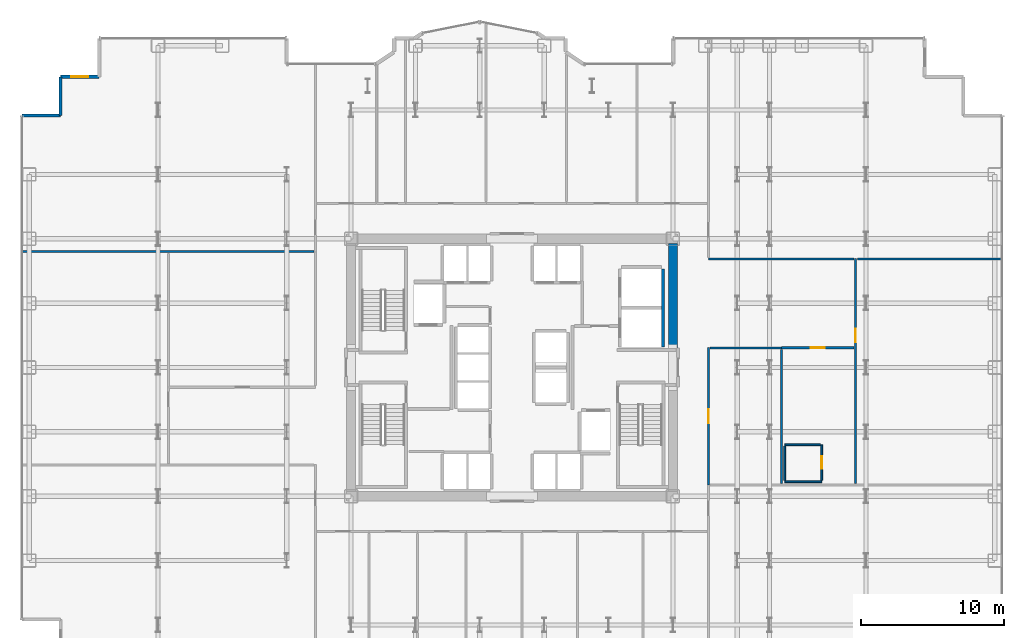
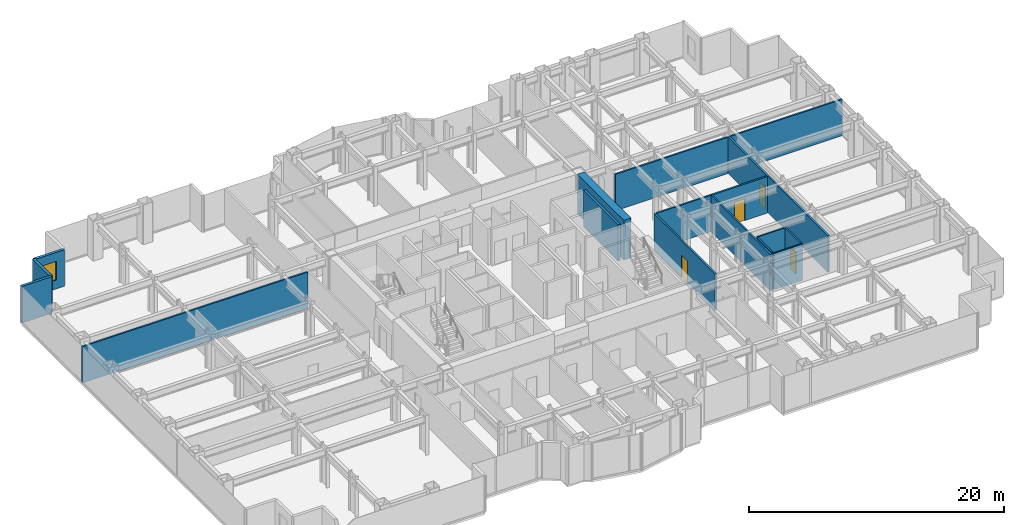
# One storey, part 23 of 26: 17 walls, 4 doors, 1 window, 5 openings.
"""IFC4 building model written with IfcOpenShell, lengths in metres."""

from ifc_helpers import new_model, si_unit, direction, frame, frame_2d, origin, place, context, subcontext, project, spatial, rectangle, extrude, source, transform, mapped, material, layer, layer_set, type_object, element, fill, save


model = new_model("IFC4")

# Units and contexts
model_context = context("Model", 3, precision=1e-05, world=origin(), true_north=direction((0.0, 1.0)))
body_context = subcontext(model_context, "Body", "Model", "MODEL_VIEW")
ifc_project = project(units=[si_unit("LENGTHUNIT", "METRE"), si_unit("AREAUNIT", "SQUARE_METRE"), si_unit("VOLUMEUNIT", "CUBIC_METRE"), si_unit("PLANEANGLEUNIT", "RADIAN"), si_unit("MASSUNIT", "GRAM", prefix="KILO")], contexts=[model_context])

# Site, building, storey
site_placement = place(None, origin())
site = spatial("IfcSite", under=ifc_project, at=site_placement, CompositionType="ELEMENT")
building_placement = place(site_placement, origin())
building = spatial("IfcBuilding", under=site, at=building_placement, Name="Nefas-Gora Pilgrimage Tower", CompositionType="ELEMENT")
storey_placement = place(building_placement, frame((0.0, 0.0, 82.39990234375)))
storey = spatial("IfcBuildingStorey", under=building, at=storey_placement, Name="L19", CompositionType="ELEMENT", Elevation=82.39990234375)

# Wall
ifc_material_1 = material(Name="Concrete C60/75", Category="concrete")
ifc_layer_1 = layer(ifc_material_1, 0.64990234375)
ifc_layer_set_1 = layer_set([ifc_layer_1], Name="Concrete C60/75")
wall_type_1 = type_object("IfcWallType", Name="SW-CORE-650", PredefinedType="SHEAR", material=ifc_layer_set_1)
shared_shape_1 = source(origin(), body_context, "Body", "SweptSolid", [
    extrude(rectangle(XDim=7.324951171875, YDim=0.64990234375, at=frame_2d((3.66259765625, 0.0))), origin(), (0.0, 0.0, 1.0), 3.800048828125),
])
wall_1_placement = place(storey_placement, frame((11.25, 1.35009765625, 0.0), z_axis=(0.0, 0.0, 1.0), x_axis=(0.0, 1.0, 0.0)))
element("IfcWall", 1, at=wall_1_placement, inside=storey, type_object=wall_type_1, Name="L19 Core Shear Wall E-North", PredefinedType="SHEAR", context=body_context, shape_type="MappedRepresentation", body=[
    mapped(shared_shape_1, transform((0.0, 0.0, 0.0), x_axis=(1.0, 0.0, 0.0), y_axis=(0.0, 1.0, 0.0), z_axis=(0.0, 0.0, 1.0), scale=1.0)),
])

# Wall, opening, window
ifc_material_2 = material(Name="Precast concrete C45/55", Category="concrete")
ifc_layer_2 = layer(ifc_material_2, 0.239990234375)
ifc_layer_set_2 = layer_set([ifc_layer_2], Name="Precast concrete C45/55")
wall_type_2 = type_object("IfcWallType", Name="EW-SERR-240", PredefinedType="SHEAR", material=ifc_layer_set_2)
shared_shape_2 = source(origin(), body_context, "Body", "SweptSolid", [
    extrude(rectangle(XDim=2.699951171875, YDim=0.239990234375, at=frame_2d((1.35009765625, 0.0))), origin(), (0.0, 0.0, 1.0), 3.5),
])
wall_2_placement = place(storey_placement, frame((-28.8701171875, 20.320068359375, 0.0), z_axis=(0.0, 0.0, 1.0), x_axis=(-1.0, 0.0, 0.0)))
wall_2 = element("IfcWall", 2, at=wall_2_placement, inside=storey, type_object=wall_type_2, Name="L19 Serrated Corner Shear Pier Wall 21", PredefinedType="SHEAR", context=body_context, shape_type="MappedRepresentation", body=[
    mapped(shared_shape_2, transform((0.0, 0.0, 0.0), x_axis=(1.0, 0.0, 0.0), y_axis=(0.0, 1.0, 0.0), z_axis=(0.0, 0.0, 1.0), scale=1.0)),
])
opening_1_placement = place(wall_2_placement, frame((0.75, 0.0, 0.85009765625)))
opening_1 = element("IfcOpeningElement", 3, at=opening_1_placement, cuts=wall_2, Name="Opening W-V1", PredefinedType="OPENING", context=body_context, shape_type="SweptSolid", body=[
    extrude(rectangle(XDim=1.199951171875, YDim=1.800048828125, at=frame_2d((0.60009765625, 0.89990234375))), frame((0.0, 0.1298828125, 0.0), z_axis=(0.0, -1.0, 0.0), x_axis=(1.0, 0.0, 0.0)), (0.0, 0.0, 1.0), 0.260009765625),
])
ifc_material_3 = material(Name="Dark ceramic-fritted operable aluminium-glass window", Category="aluminium")
window_type = type_object("IfcWindowType", Name="WIN-VENT-1200x1800", PartitioningType="SINGLE_PANEL", PredefinedType="WINDOW", material=ifc_material_3)
shared_shape_3 = source(origin(), body_context, "Body", "SweptSolid", [
    extrude(rectangle(XDim=1.199951171875, YDim=1.800048828125, at=frame_2d((0.60009765625, 0.89990234375))), frame((0.0, 0.030029296875, 0.0), z_axis=(0.0, -1.0, 0.0), x_axis=(1.0, 0.0, 0.0)), (0.0, 0.0, 1.0), 0.06005859375),
])
window_placement = place(opening_1_placement, origin())
window = element("IfcWindow", 4, at=window_placement, inside=storey, type_object=window_type, Name="L19 Operable Parallel-Outswing Window 21", OverallHeight=1.800048828125, OverallWidth=1.199951171875, PartitioningType="SINGLE_PANEL", PredefinedType="WINDOW", context=body_context, shape_type="MappedRepresentation", body=[
    mapped(shared_shape_3, transform((0.0, 0.0, 0.0), x_axis=(1.0, 0.0, 0.0), y_axis=(0.0, 1.0, 0.0), z_axis=(0.0, 0.0, 1.0), scale=1.0)),
])
fill(opening_1, window)

# Walls
for number, where, z_axis, x_axis, name in (
    (5, (-31.570068359375, 20.320068359375, 0.0), (0.0, 0.0, 1.0), (0.0, -1.0, 0.0), "L19 Serrated Corner Shear Pier Wall 22"),
    (6, (-31.570068359375, 17.6201171875, 0.0), (0.0, 0.0, 1.0), (-1.0, 0.0, 0.0), "L19 Serrated Corner Shear Pier Wall 23"),
):
    element("IfcWall", number, at=place(storey_placement, frame(where, z_axis=z_axis, x_axis=x_axis)), inside=storey, type_object=wall_type_2, Name=name, PredefinedType="SHEAR", context=body_context, shape_type="MappedRepresentation", body=[
        mapped(shared_shape_2, transform((0.0, 0.0, 0.0), x_axis=(1.0, 0.0, 0.0), y_axis=(0.0, 1.0, 0.0), z_axis=(0.0, 0.0, 1.0), scale=1.0)),
    ])
ifc_material_4 = material(Name="Concrete C40/50", Category="concrete")
ifc_layer_3 = layer(ifc_material_4, 0.219970703125)
ifc_layer_set_3 = layer_set([ifc_layer_3], Name="Concrete C40/50")
wall_type_3 = type_object("IfcWallType", Name="IW-SHAFT-220", PredefinedType="SOLIDWALL", material=ifc_layer_set_3)
shared_shape_4 = source(origin(), body_context, "Body", "SweptSolid", [
    extrude(rectangle(XDim=5.449951171875, YDim=0.219970703125, at=frame_2d((2.72509765625, 0.0))), origin(), (0.0, 0.0, 1.0), 3.485107421875),
])
wall_3_placement = place(storey_placement, frame((10.56005859375, 1.449951171875, 0.0), z_axis=(0.0, 0.0, 1.0), x_axis=(0.0, 1.0, 0.0)))
element("IfcWall", 7, at=wall_3_placement, inside=storey, type_object=wall_type_3, Name="L19 Hoistway Wall SL-01-02-E", PredefinedType="SOLIDWALL", context=body_context, shape_type="MappedRepresentation", body=[
    mapped(shared_shape_4, transform((0.0, 0.0, 0.0), x_axis=(1.0, 0.0, 0.0), y_axis=(0.0, 1.0, 0.0), z_axis=(0.0, 0.0, 1.0), scale=1.0)),
])
ifc_material_5 = material(Name="Moisture-resistant fire-rated gypsum partition")
ifc_layer_4 = layer(ifc_material_5, 0.1201171875)
ifc_layer_set_4 = layer_set([ifc_layer_4], Name="Moisture-resistant fire-rated gypsum partition")
wall_type_4 = type_object("IfcWallType", Name="IW-WET-120", PredefinedType="PLUMBINGWALL", material=ifc_layer_set_4)
shared_shape_5 = source(origin(), body_context, "Body", "SweptSolid", [
    extrude(rectangle(XDim=2.580078125, YDim=0.1201171875, at=frame_2d((1.2900390625, 0.0))), origin(), (0.0, 0.0, 1.0), 3.485107421875),
])
wall_4_placement = place(storey_placement, frame((19.074951171875, -7.985107421875, 0.0), z_axis=(0.0, 0.0, 1.0), x_axis=(1.0, 0.0, 0.0)))
element("IfcWall", 8, at=wall_4_placement, inside=storey, type_object=wall_type_4, Name="L19 En-Suite Bathroom Wall 16", PredefinedType="PLUMBINGWALL", context=body_context, shape_type="MappedRepresentation", body=[
    mapped(shared_shape_5, transform((0.0, 0.0, 0.0), x_axis=(1.0, 0.0, 0.0), y_axis=(0.0, 1.0, 0.0), z_axis=(0.0, 0.0, 1.0), scale=1.0)),
])

# Wall, opening, door
shared_shape_6 = source(origin(), body_context, "Body", "SweptSolid", [
    extrude(rectangle(XDim=2.47998046875, YDim=0.1201171875, at=frame_2d((1.239990234375, 0.0))), origin(), (0.0, 0.0, 1.0), 3.485107421875),
])
wall_5_placement = place(storey_placement, frame((21.655029296875, -7.885009765625, 0.0), z_axis=(0.0, 0.0, 1.0), x_axis=(0.0, 1.0, 0.0)))
wall_5 = element("IfcWall", 9, at=wall_5_placement, inside=storey, type_object=wall_type_4, Name="L19 En-Suite Bathroom Wall 17", PredefinedType="PLUMBINGWALL", context=body_context, shape_type="MappedRepresentation", body=[
    mapped(shared_shape_6, transform((0.0, 0.0, 0.0), x_axis=(1.0, 0.0, 0.0), y_axis=(0.0, 1.0, 0.0), z_axis=(0.0, 0.0, 1.0), scale=1.0)),
])
opening_2_placement = place(wall_5_placement, frame((0.81494140625, 0.0, 0.0)))
opening_2 = element("IfcOpeningElement", 10, at=opening_2_placement, cuts=wall_5, Name="Opening ID-BT1", PredefinedType="OPENING", context=body_context, shape_type="SweptSolid", body=[
    extrude(rectangle(XDim=0.85009765625, YDim=2.10009765625, at=frame_2d((0.425048828125, 1.050048828125))), frame((0.0, 0.070068359375, 0.0), z_axis=(0.0, -1.0, 0.0), x_axis=(1.0, 0.0, 0.0)), (0.0, 0.0, 1.0), 0.14013671875),
])
ifc_material_6 = material(Name="Moisture-resistant fire-rated timber door", Category="wood")
door_type_1 = type_object("IfcDoorType", Name="DR-INT-BATH-850", OperationType="NOTDEFINED", PredefinedType="DOOR", material=ifc_material_6)
shared_shape_7 = source(origin(), body_context, "Body", "SweptSolid", [
    extrude(rectangle(XDim=0.85009765625, YDim=2.10009765625, at=frame_2d((0.425048828125, 1.050048828125))), frame((0.0, 0.02490234375, 0.0), z_axis=(0.0, -1.0, 0.0), x_axis=(1.0, 0.0, 0.0)), (0.0, 0.0, 1.0), 0.050048828125),
])
door_1_placement = place(opening_2_placement, origin())
door_1 = element("IfcDoor", 11, at=door_1_placement, inside=storey, type_object=door_type_1, Name="L19 En-Suite Bathroom Door 6", OperationType="SINGLE_SWING_LEFT", OverallHeight=2.10009765625, OverallWidth=0.85009765625, PredefinedType="DOOR", context=body_context, shape_type="MappedRepresentation", body=[
    mapped(shared_shape_7, transform((0.0, 0.0, 0.0), x_axis=(1.0, 0.0, 0.0), y_axis=(0.0, 1.0, 0.0), z_axis=(0.0, 0.0, 1.0), scale=1.0)),
])
fill(opening_2, door_1)

# Walls
wall_6_placement = place(storey_placement, frame((19.074951171875, -5.405029296875, 0.0), z_axis=(0.0, 0.0, 1.0), x_axis=(1.0, 0.0, 0.0)))
element("IfcWall", 12, at=wall_6_placement, inside=storey, type_object=wall_type_4, Name="L19 En-Suite Bathroom Wall 18", PredefinedType="PLUMBINGWALL", context=body_context, shape_type="MappedRepresentation", body=[
    mapped(shared_shape_6, transform((0.0, 0.0, 0.0), x_axis=(1.0, 0.0, 0.0), y_axis=(0.0, 1.0, 0.0), z_axis=(0.0, 0.0, 1.0), scale=1.0)),
])
shared_shape_8 = source(origin(), body_context, "Body", "SweptSolid", [
    extrude(rectangle(XDim=2.380126953125, YDim=0.1201171875, at=frame_2d((1.18994140625, 0.0))), origin(), (0.0, 0.0, 1.0), 3.485107421875),
])
wall_7_placement = place(storey_placement, frame((19.074951171875, -7.885009765625, 0.0), z_axis=(0.0, 0.0, 1.0), x_axis=(0.0, 1.0, 0.0)))
element("IfcWall", 13, at=wall_7_placement, inside=storey, type_object=wall_type_4, Name="L19 En-Suite Bathroom Wall 19", PredefinedType="PLUMBINGWALL", context=body_context, shape_type="MappedRepresentation", body=[
    mapped(shared_shape_8, transform((0.0, 0.0, 0.0), x_axis=(1.0, 0.0, 0.0), y_axis=(0.0, 1.0, 0.0), z_axis=(0.0, 0.0, 1.0), scale=1.0)),
])
ifc_material_7 = material(Name="Gypsum twin-stud partition")
ifc_layer_5 = layer(ifc_material_7, 0.139892578125)
ifc_layer_set_5 = layer_set([ifc_layer_5], Name="Gypsum twin-stud partition")
wall_type_5 = type_object("IfcWallType", Name="IW-UNIT-140", PredefinedType="PARTITIONING", material=ifc_layer_set_5)
shared_shape_9 = source(origin(), body_context, "Body", "SweptSolid", [
    extrude(rectangle(XDim=20.429931640625, YDim=0.139892578125, at=frame_2d((10.21484375, 0.0))), origin(), (0.0, 0.0, 1.0), 3.485107421875),
])
wall_8_placement = place(storey_placement, frame((-34.2900390625, 8.097412109375, 0.0), z_axis=(0.0, 0.0, 1.0), x_axis=(1.0, 0.0, 0.0)))
element("IfcWall", 14, at=wall_8_placement, inside=storey, type_object=wall_type_5, Name="L19 Pilgrim Devotional Prayer Gallery Partition Wall 30", PredefinedType="PARTITIONING", context=body_context, shape_type="MappedRepresentation", body=[
    mapped(shared_shape_9, transform((0.0, 0.0, 0.0), x_axis=(1.0, 0.0, 0.0), y_axis=(0.0, 1.0, 0.0), z_axis=(0.0, 0.0, 1.0), scale=1.0)),
])

# Wall, opening, door
ifc_material_8 = material(Name="Gypsum acoustic stud partition")
ifc_layer_6 = layer(ifc_material_8, 0.159912109375)
ifc_layer_set_6 = layer_set([ifc_layer_6], Name="Gypsum acoustic stud partition")
wall_type_6 = type_object("IfcWallType", Name="IW-CORR-160", PredefinedType="PARTITIONING", material=ifc_layer_set_6)
shared_shape_10 = source(origin(), body_context, "Body", "SweptSolid", [
    extrude(rectangle(XDim=15.699951171875, YDim=0.159912109375, at=frame_2d((7.85009765625, 0.0))), origin(), (0.0, 0.0, 1.0), 3.485107421875),
])
wall_9_placement = place(storey_placement, frame((24.02001953125, -8.094970703125, 0.0), z_axis=(0.0, 0.0, 1.0), x_axis=(0.0, 1.0, 0.0)))
wall_9 = element("IfcWall", 15, at=wall_9_placement, inside=storey, type_object=wall_type_6, Name="L19 Pilgrim Contemplative Lounge Partition Wall 36", PredefinedType="PARTITIONING", context=body_context, shape_type="MappedRepresentation", body=[
    mapped(shared_shape_10, transform((0.0, 0.0, 0.0), x_axis=(1.0, 0.0, 0.0), y_axis=(0.0, 1.0, 0.0), z_axis=(0.0, 0.0, 1.0), scale=1.0)),
])
opening_3_placement = place(wall_9_placement, frame((9.8701171875, 0.0, 0.0)))
opening_3 = element("IfcOpeningElement", 16, at=opening_3_placement, cuts=wall_9, Name="Opening ID-GR1", PredefinedType="OPENING", context=body_context, shape_type="SweptSolid", body=[
    extrude(rectangle(XDim=0.949951171875, YDim=2.10009765625, at=frame_2d((0.47509765625, 1.050048828125))), frame((0.0, 0.08984375, 0.0), z_axis=(0.0, -1.0, 0.0), x_axis=(1.0, 0.0, 0.0)), (0.0, 0.0, 1.0), 0.179931640625),
])
ifc_material_9 = material(Name="Solid core oak fire-rated guest entrance door")
door_type_2 = type_object("IfcDoorType", Name="DR-INT-GUEST-950", OperationType="NOTDEFINED", PredefinedType="DOOR", material=ifc_material_9)
shared_shape_11 = source(origin(), body_context, "Body", "SweptSolid", [
    extrude(rectangle(XDim=0.949951171875, YDim=2.10009765625, at=frame_2d((0.47509765625, 1.050048828125))), frame((0.0, 0.02490234375, 0.0), z_axis=(0.0, -1.0, 0.0), x_axis=(1.0, 0.0, 0.0)), (0.0, 0.0, 1.0), 0.050048828125),
])
door_2_placement = place(opening_3_placement, origin())
door_2 = element("IfcDoor", 17, at=door_2_placement, inside=storey, type_object=door_type_2, Name="L19 Pilgrim Contemplative Lounge Door 15", OperationType="SINGLE_SWING_RIGHT", OverallHeight=2.10009765625, OverallWidth=0.949951171875, PredefinedType="DOOR", context=body_context, shape_type="MappedRepresentation", body=[
    mapped(shared_shape_11, transform((0.0, 0.0, 0.0), x_axis=(1.0, 0.0, 0.0), y_axis=(0.0, 1.0, 0.0), z_axis=(0.0, 0.0, 1.0), scale=1.0)),
])
fill(opening_3, door_2)

# Walls
shared_shape_12 = source(origin(), body_context, "Body", "SweptSolid", [
    extrude(rectangle(XDim=10.169921875, YDim=0.139892578125, at=frame_2d((5.0849609375, 0.0))), origin(), (0.0, 0.0, 1.0), 3.485107421875),
])
wall_10_placement = place(storey_placement, frame((13.72998046875, 7.594970703125, 0.0), z_axis=(0.0, 0.0, 1.0), x_axis=(1.0, 0.0, 0.0)))
element("IfcWall", 18, at=wall_10_placement, inside=storey, type_object=wall_type_5, Name="L19 Pilgrim Contemplative Lounge Partition Wall 37", PredefinedType="PARTITIONING", context=body_context, shape_type="MappedRepresentation", body=[
    mapped(shared_shape_12, transform((0.0, 0.0, 0.0), x_axis=(1.0, 0.0, 0.0), y_axis=(0.0, 1.0, 0.0), z_axis=(0.0, 0.0, 1.0), scale=1.0)),
])
shared_shape_13 = source(origin(), body_context, "Body", "SweptSolid", [
    extrude(rectangle(XDim=10.150146484375, YDim=0.139892578125, at=frame_2d((5.0751953125, 0.0))), origin(), (0.0, 0.0, 1.0), 3.485107421875),
])
wall_11_placement = place(storey_placement, frame((24.139892578125, 7.594970703125, 0.0), z_axis=(0.0, 0.0, 1.0), x_axis=(1.0, 0.0, 0.0)))
element("IfcWall", 19, at=wall_11_placement, inside=storey, type_object=wall_type_5, Name="L19 Pilgrim Contemplative Lounge Partition Wall 38", PredefinedType="PARTITIONING", context=body_context, shape_type="MappedRepresentation", body=[
    mapped(shared_shape_13, transform((0.0, 0.0, 0.0), x_axis=(1.0, 0.0, 0.0), y_axis=(0.0, 1.0, 0.0), z_axis=(0.0, 0.0, 1.0), scale=1.0)),
])

# Wall, opening, door
shared_shape_14 = source(origin(), body_context, "Body", "SweptSolid", [
    extrude(rectangle(XDim=9.594970703125, YDim=0.159912109375, at=frame_2d((4.79736328125, 0.0))), origin(), (0.0, 0.0, 1.0), 3.485107421875),
])
wall_12_placement = place(storey_placement, frame((13.739990234375, -8.205078125, 0.0), z_axis=(0.0, 0.0, 1.0), x_axis=(0.0, 1.0, 0.0)))
wall_12 = element("IfcWall", 20, at=wall_12_placement, inside=storey, type_object=wall_type_6, Name="L19 Pilgrim Contemplative Lounge Partition Wall 39", PredefinedType="PARTITIONING", context=body_context, shape_type="MappedRepresentation", body=[
    mapped(shared_shape_14, transform((0.0, 0.0, 0.0), x_axis=(1.0, 0.0, 0.0), y_axis=(0.0, 1.0, 0.0), z_axis=(0.0, 0.0, 1.0), scale=1.0)),
])
opening_4_placement = place(wall_12_placement, frame((4.322509765625, 0.0, 0.0)))
opening_4 = element("IfcOpeningElement", 21, at=opening_4_placement, cuts=wall_12, Name="Opening ID-GR1", PredefinedType="OPENING", context=body_context, shape_type="SweptSolid", body=[
    extrude(rectangle(XDim=0.949951171875, YDim=2.10009765625, at=frame_2d((0.47509765625, 1.050048828125))), frame((0.0, 0.08984375, 0.0), z_axis=(0.0, -1.0, 0.0), x_axis=(1.0, 0.0, 0.0)), (0.0, 0.0, 1.0), 0.179931640625),
])
door_3_placement = place(opening_4_placement, origin())
door_3 = element("IfcDoor", 22, at=door_3_placement, inside=storey, type_object=door_type_2, Name="L19 Pilgrim Contemplative Lounge Door 16", OperationType="SINGLE_SWING_LEFT", OverallHeight=2.10009765625, OverallWidth=0.949951171875, PredefinedType="DOOR", context=body_context, shape_type="MappedRepresentation", body=[
    mapped(shared_shape_11, transform((0.0, 0.0, 0.0), x_axis=(1.0, 0.0, 0.0), y_axis=(0.0, 1.0, 0.0), z_axis=(0.0, 0.0, 1.0), scale=1.0)),
])
fill(opening_4, door_3)

# Walls
shared_shape_15 = source(origin(), body_context, "Body", "SweptSolid", [
    extrude(rectangle(XDim=4.994873046875, YDim=0.139892578125, at=frame_2d((2.49755859375, 0.0))), origin(), (0.0, 0.0, 1.0), 3.485107421875),
])
wall_13_placement = place(storey_placement, frame((13.860107421875, 1.3798828125, 0.0), z_axis=(0.0, 0.0, 1.0), x_axis=(1.0, 0.0, 0.0)))
element("IfcWall", 23, at=wall_13_placement, inside=storey, type_object=wall_type_5, Name="L19 Pilgrim Contemplative Lounge Partition Wall 40", PredefinedType="PARTITIONING", context=body_context, shape_type="MappedRepresentation", body=[
    mapped(shared_shape_15, transform((0.0, 0.0, 0.0), x_axis=(1.0, 0.0, 0.0), y_axis=(0.0, 1.0, 0.0), z_axis=(0.0, 0.0, 1.0), scale=1.0)),
])
shared_shape_16 = source(origin(), body_context, "Body", "SweptSolid", [
    extrude(rectangle(XDim=9.364990234375, YDim=0.139892578125, at=frame_2d((4.6826171875, 0.0))), origin(), (0.0, 0.0, 1.0), 3.485107421875),
])
wall_14_placement = place(storey_placement, frame((18.844970703125, -8.094970703125, 0.0), z_axis=(0.0, 0.0, 1.0), x_axis=(0.0, 1.0, 0.0)))
element("IfcWall", 24, at=wall_14_placement, inside=storey, type_object=wall_type_5, Name="L19 Pilgrim Contemplative Lounge Partition Wall 41", PredefinedType="PARTITIONING", context=body_context, shape_type="MappedRepresentation", body=[
    mapped(shared_shape_16, transform((0.0, 0.0, 0.0), x_axis=(1.0, 0.0, 0.0), y_axis=(0.0, 1.0, 0.0), z_axis=(0.0, 0.0, 1.0), scale=1.0)),
])

# Wall, opening, door
shared_shape_17 = source(origin(), body_context, "Body", "SweptSolid", [
    extrude(rectangle(XDim=5.044921875, YDim=0.159912109375, at=frame_2d((2.5224609375, 0.0))), origin(), (0.0, 0.0, 1.0), 3.485107421875),
])
wall_15_placement = place(storey_placement, frame((18.85498046875, 1.3798828125, 0.0), z_axis=(0.0, 0.0, 1.0), x_axis=(1.0, 0.0, 0.0)))
wall_15 = element("IfcWall", 25, at=wall_15_placement, inside=storey, type_object=wall_type_6, Name="L19 Pilgrim Sanctuary Suite Partition Wall 42", PredefinedType="PARTITIONING", context=body_context, shape_type="MappedRepresentation", body=[
    mapped(shared_shape_17, transform((0.0, 0.0, 0.0), x_axis=(1.0, 0.0, 0.0), y_axis=(0.0, 1.0, 0.0), z_axis=(0.0, 0.0, 1.0), scale=1.0)),
])
opening_5_placement = place(wall_15_placement, frame((2.047607421875, 0.0, 0.0)))
opening_5 = element("IfcOpeningElement", 26, at=opening_5_placement, cuts=wall_15, Name="Opening ID-GR1", PredefinedType="OPENING", context=body_context, shape_type="SweptSolid", body=[
    extrude(rectangle(XDim=0.949951171875, YDim=2.10009765625, at=frame_2d((0.47509765625, 1.050048828125))), frame((0.0, 0.08984375, 0.0), z_axis=(0.0, -1.0, 0.0), x_axis=(1.0, 0.0, 0.0)), (0.0, 0.0, 1.0), 0.179931640625),
])
door_4_placement = place(opening_5_placement, origin())
door_4 = element("IfcDoor", 27, at=door_4_placement, inside=storey, type_object=door_type_2, Name="L19 Pilgrim Sanctuary Suite Door 17", OperationType="SINGLE_SWING_RIGHT", OverallHeight=2.10009765625, OverallWidth=0.949951171875, PredefinedType="DOOR", context=body_context, shape_type="MappedRepresentation", body=[
    mapped(shared_shape_11, transform((0.0, 0.0, 0.0), x_axis=(1.0, 0.0, 0.0), y_axis=(0.0, 1.0, 0.0), z_axis=(0.0, 0.0, 1.0), scale=1.0)),
])
fill(opening_5, door_4)

save(model, "model.ifc")
